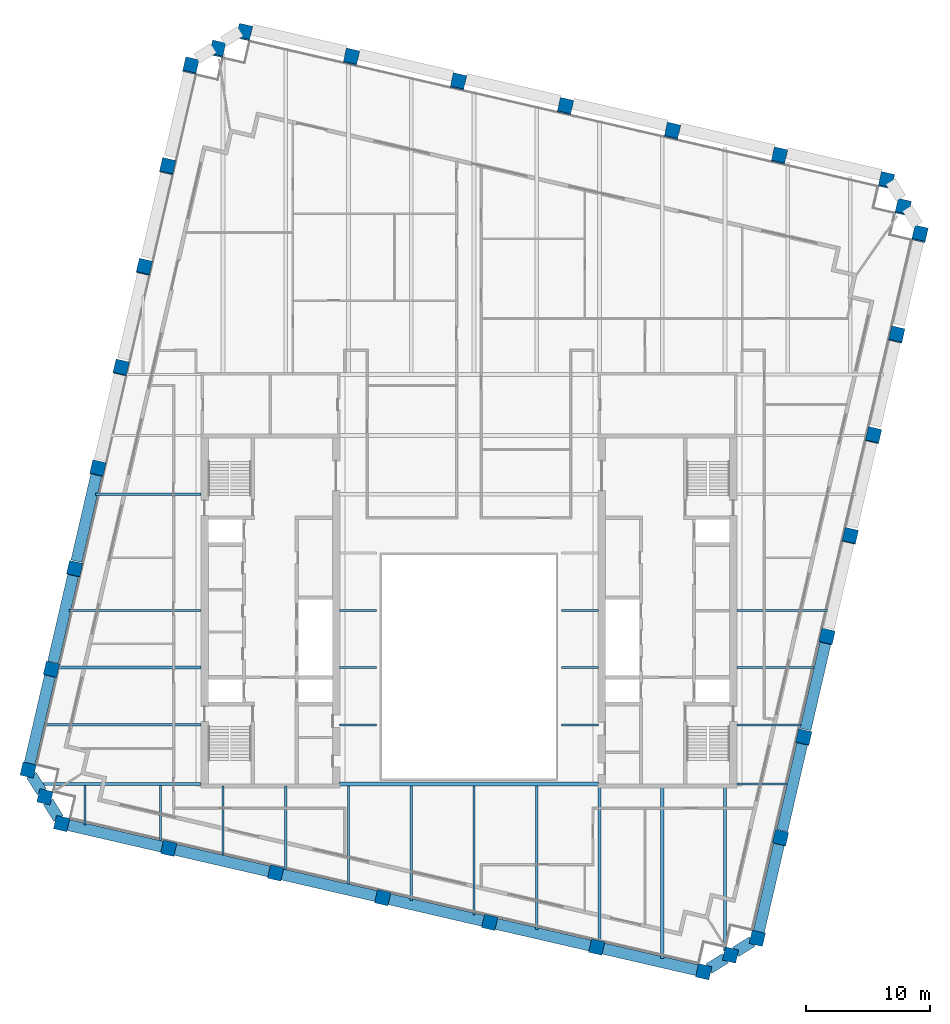
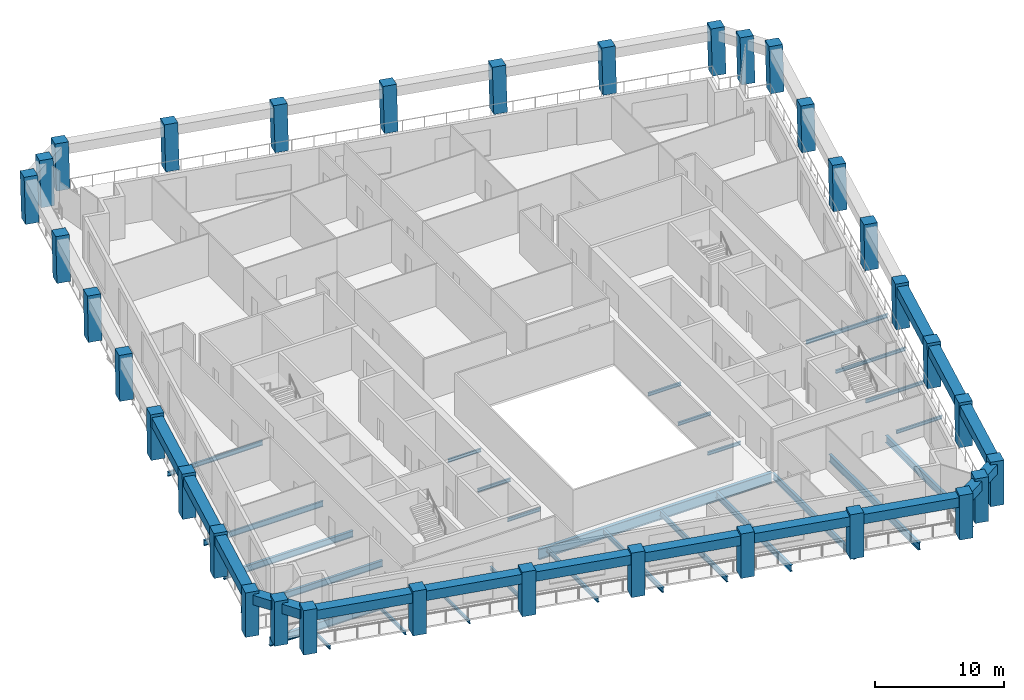
# One storey, part 1 of 9: 43 beams, 34 columns.
"""IFC4 building model written with IfcOpenShell, lengths in metres."""

from ifc_helpers import new_model, si_unit, direction, frame, origin, origin_2d, place, context, subcontext, project, spatial, rectangle, i_section, extrude, material, material_profile, profile_set, type_object, element, save


model = new_model("IFC4")

# Units and contexts
model_context = context("Model", 3, precision=1e-05, world=origin(), true_north=direction((0.0, 1.0)))
body_context = subcontext(model_context, "Body", "Model", "MODEL_VIEW")
ifc_project = project(units=[si_unit("LENGTHUNIT", "METRE"), si_unit("AREAUNIT", "SQUARE_METRE"), si_unit("VOLUMEUNIT", "CUBIC_METRE"), si_unit("PLANEANGLEUNIT", "RADIAN"), si_unit("MASSUNIT", "GRAM", prefix="KILO")], contexts=[model_context])

# Site, building, storey
site_placement = place(None, origin())
site = spatial("IfcSite", under=ifc_project, at=site_placement, CompositionType="ELEMENT")
building_placement = place(site_placement, origin())
building = spatial("IfcBuilding", under=site, at=building_placement, Name="Ogive Exchange Tower", CompositionType="ELEMENT")
storey_placement = place(building_placement, frame((0.0, 0.0, 276.60009765625)))
storey = spatial("IfcBuildingStorey", under=building, at=storey_placement, Name="L60", CompositionType="ELEMENT", Elevation=276.60009765625)

# Columns
ifc_material_1 = material(Name="Precast concrete C70/85 (limestone faced)", Category="masonry")
ifc_material_profile_1 = material_profile(ifc_material_1, rectangle(XDim=1.10009765625, YDim=1.10009765625, at=origin_2d()), Name="1100 x 1100")
ifc_profile_set_1 = profile_set([ifc_material_profile_1], Name="Precast concrete C70/85 (limestone faced)")
column_type = type_object("IfcColumnType", Name="Precast exoskeleton leg 1100 x 1100 C70/85", PredefinedType="COLUMN", material=ifc_profile_set_1)
for number, where, z_axis, x_axis, name in (
    (1, (-32.820556640625, -5.635498046875, 0.0), (0.0, 0.0, 1.0), (0.974370064785, -0.224951054344, 0.0), "Exoskeleton leg 1"),
    (2, (-24.197265625, -7.62646484375, 0.0), (0.0, 0.0, 1.0), (0.974370064785, -0.224951054344, 0.0), "Exoskeleton leg 2"),
    (3, (-15.57421875, -9.6171875, 0.0), (0.0, 0.0, 1.0), (0.974370064785, -0.224951054344, 0.0), "Exoskeleton leg 3"),
    (4, (-6.950927734375, -11.60791015625, 0.0), (0.0, 0.0, 1.0), (0.974370064785, -0.224951054344, 0.0), "Exoskeleton leg 4"),
    (5, (1.672119140625, -13.598876953125, 0.0), (0.0, 0.0, 1.0), (0.974370064785, -0.224951054344, 0.0), "Exoskeleton leg 5"),
    (6, (10.29541015625, -15.589599609375, 0.0), (0.0, 0.0, 1.0), (0.974370064785, -0.224951054344, 0.0), "Exoskeleton leg 6"),
    (7, (18.91845703125, -17.58056640625, 0.0), (0.0, 0.0, 1.0), (0.974370064785, -0.224951054344, 0.0), "Exoskeleton leg 7"),
    (8, (23.236083984375, -14.882568359375, 0.0), (0.0, 0.0, 1.0), (0.974370064785, -0.224951054344, 0.0), "Exoskeleton leg 8"),
):
    element("IfcColumn", number, at=place(storey_placement, frame(where, z_axis=z_axis, x_axis=x_axis)), inside=storey, type_object=column_type, Name=name, PredefinedType="COLUMN", context=body_context, shape_type="SweptSolid", body=[
        extrude(rectangle(XDim=1.10009765625, YDim=1.10009765625, at=origin_2d()), origin(), (0.0, 0.0, 1.0), 4.199951171875),
    ])
column_1_placement = place(storey_placement, frame((25.1064453125, -6.781494140625, 0.0), z_axis=(0.002906224189, 0.012671137464, 0.999915494498), x_axis=(-0.974691740237, 0.22355315143, 0.0)))
element("IfcColumn", 9, at=column_1_placement, inside=storey, type_object=column_type, Name="Exoskeleton leg 9", PredefinedType="COLUMN", context=body_context, shape_type="SweptSolid", body=[
    extrude(rectangle(XDim=1.10009765625, YDim=1.10009765625, at=origin_2d()), origin(), (0.0, 0.0, 1.0), 4.2001953125),
])
column_2_placement = place(storey_placement, frame((26.976806640625, 1.31982421875, 0.0), z_axis=(0.005810983994, 0.025277780376, 0.999663576552), x_axis=(-0.974579651079, 0.224041299099, 0.0)))
element("IfcColumn", 10, at=column_2_placement, inside=storey, type_object=column_type, Name="Exoskeleton leg 10", PredefinedType="COLUMN", context=body_context, shape_type="SweptSolid", body=[
    extrude(rectangle(XDim=1.10009765625, YDim=1.10009765625, at=origin_2d()), origin(), (0.0, 0.0, 1.0), 4.201416015625),
])
column_3_placement = place(storey_placement, frame((28.846923828125, 9.4208984375, 0.0), z_axis=(0.008770884695, 0.037929719907, 0.99924191662), x_axis=(-0.974290512438, 0.225295355862, 0.0)))
element("IfcColumn", 11, at=column_3_placement, inside=storey, type_object=column_type, Name="Exoskeleton leg 11", PredefinedType="COLUMN", context=body_context, shape_type="SweptSolid", body=[
    extrude(rectangle(XDim=1.10009765625, YDim=1.10009765625, at=origin_2d()), origin(), (0.0, 0.0, 1.0), 4.203125),
])
column_4_placement = place(storey_placement, frame((30.71728515625, 17.522216796875, 0.0), z_axis=(0.011668267153, 0.050562490995, 0.998652735462), x_axis=(-0.974391195695, 0.224859506699, 0.0)))
element("IfcColumn", 12, at=column_4_placement, inside=storey, type_object=column_type, Name="Exoskeleton leg 12", PredefinedType="COLUMN", context=body_context, shape_type="SweptSolid", body=[
    extrude(rectangle(XDim=1.10009765625, YDim=1.10009765625, at=origin_2d()), origin(), (0.0, 0.0, 1.0), 4.20556640625),
])
column_5_placement = place(storey_placement, frame((32.587646484375, 25.623291015625, 0.0), z_axis=(0.014559788571, 0.063169759976, 0.997896584813), x_axis=(-0.97445148511, 0.224598092528, 0.0)))
element("IfcColumn", 13, at=column_5_placement, inside=storey, type_object=column_type, Name="Exoskeleton leg 13", PredefinedType="COLUMN", context=body_context, shape_type="SweptSolid", body=[
    extrude(rectangle(XDim=1.10009765625, YDim=1.10009765625, at=origin_2d()), origin(), (0.0, 0.0, 1.0), 4.208740234375),
])
column_6_placement = place(storey_placement, frame((34.4580078125, 33.724609375, 0.0), z_axis=(0.017444089556, 0.075687644385, 0.996978978829), x_axis=(-0.974454034257, 0.224587032398, 0.0)))
element("IfcColumn", 14, at=column_6_placement, inside=storey, type_object=column_type, Name="Exoskeleton leg 14", PredefinedType="COLUMN", context=body_context, shape_type="SweptSolid", body=[
    extrude(rectangle(XDim=1.10009765625, YDim=1.10009765625, at=origin_2d()), origin(), (0.0, 0.0, 1.0), 4.212646484375),
])
for number, where, z_axis, x_axis, name in (
    (15, (36.328125, 41.82568359375, 0.0), (0.020377493232, 0.0882252832, 0.995892091129), (-0.97434807649, 0.225046274885, 0.0), "Exoskeleton leg 15"),
    (16, (33.63037109375, 46.143310546875, 0.0), (0.020377493232, 0.0882252832, 0.995892091129), (-0.97434807649, 0.225046274885, 0.0), "Exoskeleton leg 16"),
    (17, (25.007080078125, 48.134033203125, 0.0), (0.020377493232, 0.0882252832, 0.995892091129), (-0.97434807649, 0.225046274885, 0.0), "Exoskeleton leg 17"),
    (18, (16.384033203125, 50.125, 0.0), (0.020377493232, 0.0882252832, 0.995892091129), (-0.97434807649, 0.225046274885, 0.0), "Exoskeleton leg 18"),
    (19, (7.7607421875, 52.11572265625, 0.0), (0.020377493232, 0.0882252832, 0.995892091129), (-0.97434807649, 0.225046274885, 0.0), "Exoskeleton leg 19"),
    (20, (-0.8623046875, 54.106689453125, 0.0), (0.020319730311, 0.088167946619, 0.995898349105), (-0.97445585692, 0.224579123952, 0.0), "Exoskeleton leg 20"),
    (21, (-9.485595703125, 56.097412109375, 0.0), (0.020377493232, 0.0882252832, 0.995892091129), (-0.97434807649, 0.225046274885, 0.0), "Exoskeleton leg 21"),
    (22, (-18.108642578125, 58.088134765625, 0.0), (0.020377493232, 0.0882252832, 0.995892091129), (-0.97434807649, 0.225046274885, 0.0), "Exoskeleton leg 22"),
    (23, (-22.42626953125, 55.390380859375, 0.0), (0.020377597275, 0.088167842757, 0.995897175934), (-0.97431566651, 0.225186549318, 0.0), "Exoskeleton leg 23"),
):
    element("IfcColumn", number, at=place(storey_placement, frame(where, z_axis=z_axis, x_axis=x_axis)), inside=storey, type_object=column_type, Name=name, PredefinedType="COLUMN", context=body_context, shape_type="SweptSolid", body=[
        extrude(rectangle(XDim=1.10009765625, YDim=1.10009765625, at=origin_2d()), origin(), (0.0, 0.0, 1.0), 4.21728515625),
    ])
column_7_placement = place(storey_placement, frame((-24.296630859375, 47.2890625, 0.0), z_axis=(0.017502025619, 0.075687567741, 0.996977969259), x_axis=(-0.974290512438, 0.225295355862, 0.0)))
element("IfcColumn", 24, at=column_7_placement, inside=storey, type_object=column_type, Name="Exoskeleton leg 24", PredefinedType="COLUMN", context=body_context, shape_type="SweptSolid", body=[
    extrude(rectangle(XDim=1.10009765625, YDim=1.10009765625, at=origin_2d()), origin(), (0.0, 0.0, 1.0), 4.212646484375),
])
column_8_placement = place(storey_placement, frame((-26.1669921875, 39.18798828125, 0.0), z_axis=(0.014617836866, 0.063111930596, 0.997899395261), x_axis=(-0.974209784844, 0.225644178107, 0.0)))
element("IfcColumn", 25, at=column_8_placement, inside=storey, type_object=column_type, Name="Exoskeleton leg 25", PredefinedType="COLUMN", context=body_context, shape_type="SweptSolid", body=[
    extrude(rectangle(XDim=1.10009765625, YDim=1.10009765625, at=origin_2d()), origin(), (0.0, 0.0, 1.0), 4.208740234375),
])
column_9_placement = place(storey_placement, frame((-28.037109375, 31.086669921875, 0.0), z_axis=(0.011668267153, 0.050562490995, 0.998652735462), x_axis=(-0.974391195695, 0.224859506699, 0.0)))
element("IfcColumn", 26, at=column_9_placement, inside=storey, type_object=column_type, Name="Exoskeleton leg 26", PredefinedType="COLUMN", context=body_context, shape_type="SweptSolid", body=[
    extrude(rectangle(XDim=1.10009765625, YDim=1.10009765625, at=origin_2d()), origin(), (0.0, 0.0, 1.0), 4.20556640625),
])
column_10_placement = place(storey_placement, frame((-29.907470703125, 22.985595703125, 0.0), z_axis=(0.008770884695, 0.037929719907, 0.99924191662), x_axis=(-0.974290512438, 0.225295355862, 0.0)))
element("IfcColumn", 27, at=column_10_placement, inside=storey, type_object=column_type, Name="Exoskeleton leg 27", PredefinedType="COLUMN", context=body_context, shape_type="SweptSolid", body=[
    extrude(rectangle(XDim=1.10009765625, YDim=1.10009765625, at=origin_2d()), origin(), (0.0, 0.0, 1.0), 4.203125),
])
column_11_placement = place(storey_placement, frame((-31.77783203125, 14.884521484375, 0.0), z_axis=(0.00581099252, 0.025219707538, 0.999665043261), x_axis=(-0.974466825284, 0.224531526563, 0.0)))
element("IfcColumn", 28, at=column_11_placement, inside=storey, type_object=column_type, Name="Exoskeleton leg 28", PredefinedType="COLUMN", context=body_context, shape_type="SweptSolid", body=[
    extrude(rectangle(XDim=1.10009765625, YDim=1.10009765625, at=origin_2d()), origin(), (0.0, 0.0, 1.0), 4.201416015625),
])
column_12_placement = place(storey_placement, frame((-33.648193359375, 6.783203125, 0.0), z_axis=(0.002964350345, 0.012613020097, 0.999916058652), x_axis=(-0.97347596985, 0.228789283237, 0.0)))
element("IfcColumn", 29, at=column_12_placement, inside=storey, type_object=column_type, Name="Exoskeleton leg 29", PredefinedType="COLUMN", context=body_context, shape_type="SweptSolid", body=[
    extrude(rectangle(XDim=1.10009765625, YDim=1.10009765625, at=origin_2d()), origin(), (0.0, 0.0, 1.0), 4.2001953125),
])
for number, where, z_axis, x_axis, name in (
    (30, (-35.518310546875, -1.318115234375, 0.0), (0.0, 0.0, 1.0), (0.974370064785, -0.224951054344, 0.0), "Exoskeleton leg 30"),
    (31, (21.077392578125, -16.2314453125, 0.0), (0.0, 0.0, 1.0), (0.974370064785, -0.224951054344, 0.0), "Exoskeleton leg 31"),
):
    element("IfcColumn", number, at=place(storey_placement, frame(where, z_axis=z_axis, x_axis=x_axis)), inside=storey, type_object=column_type, Name=name, PredefinedType="COLUMN", context=body_context, shape_type="SweptSolid", body=[
        extrude(rectangle(XDim=1.10009765625, YDim=1.10009765625, at=origin_2d()), origin(), (0.0, 0.0, 1.0), 4.199951171875),
    ])
for number, where, z_axis, x_axis, name in (
    (32, (34.979248046875, 43.984619140625, 0.0), (0.020377493232, 0.0882252832, 0.995892091129), (-0.97434807649, 0.225046274885, 0.0), "Exoskeleton leg 32"),
    (33, (-20.267578125, 56.7392578125, 0.0), (0.020377493232, 0.0882252832, 0.995892091129), (-0.97434807649, 0.225046274885, 0.0), "Exoskeleton leg 33"),
):
    element("IfcColumn", number, at=place(storey_placement, frame(where, z_axis=z_axis, x_axis=x_axis)), inside=storey, type_object=column_type, Name=name, PredefinedType="COLUMN", context=body_context, shape_type="SweptSolid", body=[
        extrude(rectangle(XDim=1.10009765625, YDim=1.10009765625, at=origin_2d()), origin(), (0.0, 0.0, 1.0), 4.21728515625),
    ])
column_13_placement = place(storey_placement, frame((-34.16943359375, -3.476806640625, 0.0), z_axis=(0.0, 0.0, 1.0), x_axis=(0.974370064785, -0.224951054344, 0.0)))
element("IfcColumn", 34, at=column_13_placement, inside=storey, type_object=column_type, Name="Exoskeleton leg 34", PredefinedType="COLUMN", context=body_context, shape_type="SweptSolid", body=[
    extrude(rectangle(XDim=1.10009765625, YDim=1.10009765625, at=origin_2d()), origin(), (0.0, 0.0, 1.0), 4.199951171875),
])

# Beams
ifc_material_2 = material(Name="Steel ASTM A992 Gr50", Category="steel")
ifc_material_profile_2 = material_profile(ifc_material_2, i_section(OverallWidth=0.1650390625, OverallDepth=0.31005859375, WebThickness=0.005859375, FlangeThickness=0.009765625, at=origin_2d()), Name="W310x38.7")
ifc_profile_set_2 = profile_set([ifc_material_profile_2], Name="Steel ASTM A992 Gr50")
beam_type_1 = type_object("IfcBeamType", Name="Floor beam W310x38.7", PredefinedType="JOIST", material=ifc_profile_set_2)
for number, where, z_axis, x_axis, name in (
    (35, (-10.419921875, 2.3212890625, -0.35498046875), (1.0, 0.0, 0.0), (0.0, 1.0, 0.0), "Floor beam"),
    (36, (7.469970703125, 2.3212890625, -0.35498046875), (1.0, 0.0, 0.0), (0.0, 1.0, 0.0), "Floor beam"),
):
    element("IfcBeam", number, at=place(storey_placement, frame(where, z_axis=z_axis, x_axis=x_axis)), inside=storey, type_object=beam_type_1, Name=name, PredefinedType="JOIST", context=body_context, shape_type="SweptSolid", body=[
        extrude(i_section(OverallWidth=0.1650390625, OverallDepth=0.31005859375, WebThickness=0.005859375, FlangeThickness=0.009765625, at=origin_2d()), origin(), (0.0, 0.0, 1.0), 2.949951171875),
    ])
beam_1_placement = place(storey_placement, frame((21.580078125, 2.3212890625, -0.35498046875), z_axis=(1.0, 0.0, 0.0), x_axis=(0.0, 1.0, 0.0)))
element("IfcBeam", 37, at=beam_1_placement, inside=storey, type_object=beam_type_1, Name="Floor beam", PredefinedType="JOIST", context=body_context, shape_type="SweptSolid", body=[
    extrude(i_section(OverallWidth=0.1650390625, OverallDepth=0.31005859375, WebThickness=0.005859375, FlangeThickness=0.009765625, at=origin_2d()), origin(), (0.0, 0.0, 1.0), 5.166015625),
])
for number, where, z_axis, x_axis, name in (
    (38, (-10.419921875, 6.9326171875, -0.35498046875), (1.0, 0.0, 0.0), (0.0, 1.0, 0.0), "Floor beam"),
    (39, (7.469970703125, 6.9326171875, -0.35498046875), (1.0, 0.0, 0.0), (0.0, 1.0, 0.0), "Floor beam"),
):
    element("IfcBeam", number, at=place(storey_placement, frame(where, z_axis=z_axis, x_axis=x_axis)), inside=storey, type_object=beam_type_1, Name=name, PredefinedType="JOIST", context=body_context, shape_type="SweptSolid", body=[
        extrude(i_section(OverallWidth=0.1650390625, OverallDepth=0.31005859375, WebThickness=0.005859375, FlangeThickness=0.009765625, at=origin_2d()), origin(), (0.0, 0.0, 1.0), 2.949951171875),
    ])
beam_2_placement = place(storey_placement, frame((21.580078125, 6.9326171875, -0.35498046875), z_axis=(1.0, 0.0, 0.0), x_axis=(0.0, 1.0, 0.0)))
element("IfcBeam", 40, at=beam_2_placement, inside=storey, type_object=beam_type_1, Name="Floor beam", PredefinedType="JOIST", context=body_context, shape_type="SweptSolid", body=[
    extrude(i_section(OverallWidth=0.1650390625, OverallDepth=0.31005859375, WebThickness=0.005859375, FlangeThickness=0.009765625, at=origin_2d()), origin(), (0.0, 0.0, 1.0), 6.230712890625),
])
for number, where, z_axis, x_axis, name in (
    (41, (-10.419921875, 11.543701171875, -0.35498046875), (1.0, 0.0, 0.0), (0.0, 1.0, 0.0), "Floor beam"),
    (42, (7.469970703125, 11.543701171875, -0.35498046875), (1.0, 0.0, 0.0), (0.0, 1.0, 0.0), "Floor beam"),
):
    element("IfcBeam", number, at=place(storey_placement, frame(where, z_axis=z_axis, x_axis=x_axis)), inside=storey, type_object=beam_type_1, Name=name, PredefinedType="JOIST", context=body_context, shape_type="SweptSolid", body=[
        extrude(i_section(OverallWidth=0.1650390625, OverallDepth=0.31005859375, WebThickness=0.005859375, FlangeThickness=0.009765625, at=origin_2d()), origin(), (0.0, 0.0, 1.0), 2.949951171875),
    ])
beam_3_placement = place(storey_placement, frame((-30.923828125, -5.76171875, -0.35498046875), z_axis=(0.0, 1.0, 0.0), x_axis=(-1.0, 0.0, 0.0)))
element("IfcBeam", 43, at=beam_3_placement, inside=storey, type_object=beam_type_1, Name="Floor beam", PredefinedType="JOIST", context=body_context, shape_type="SweptSolid", body=[
    extrude(i_section(OverallWidth=0.1650390625, OverallDepth=0.31005859375, WebThickness=0.005859375, FlangeThickness=0.009765625, at=origin_2d()), origin(), (0.0, 0.0, 1.0), 3.18310546875),
])
beam_4_placement = place(storey_placement, frame((-24.869140625, -7.009521484375, -0.35498046875), z_axis=(0.0, 1.0, 0.0), x_axis=(-1.0, 0.0, 0.0)))
element("IfcBeam", 44, at=beam_4_placement, inside=storey, type_object=beam_type_1, Name="Floor beam", PredefinedType="JOIST", context=body_context, shape_type="SweptSolid", body=[
    extrude(i_section(OverallWidth=0.1650390625, OverallDepth=0.31005859375, WebThickness=0.005859375, FlangeThickness=0.009765625, at=origin_2d()), origin(), (0.0, 0.0, 1.0), 4.430908203125),
])
beam_5_placement = place(storey_placement, frame((-19.814208984375, -8.176513671875, -0.35498046875), z_axis=(0.0, 1.0, 0.0), x_axis=(-1.0, 0.0, 0.0)))
element("IfcBeam", 45, at=beam_5_placement, inside=storey, type_object=beam_type_1, Name="Floor beam", PredefinedType="JOIST", context=body_context, shape_type="SweptSolid", body=[
    extrude(i_section(OverallWidth=0.1650390625, OverallDepth=0.31005859375, WebThickness=0.005859375, FlangeThickness=0.009765625, at=origin_2d()), origin(), (0.0, 0.0, 1.0), 5.576416015625),
])
ifc_material_profile_3 = material_profile(ifc_material_2, i_section(OverallWidth=0.1708984375, OverallDepth=0.35595703125, WebThickness=0.00732421875, FlangeThickness=0.01171875, at=origin_2d()), Name="W360x51")
ifc_profile_set_3 = profile_set([ifc_material_profile_3], Name="Steel ASTM A992 Gr50")
beam_type_2 = type_object("IfcBeamType", Name="Floor beam W360x51", PredefinedType="JOIST", material=ifc_profile_set_3)
beam_6_placement = place(storey_placement, frame((21.580078125, 11.543701171875, -0.378173828125), z_axis=(1.0, 0.0, 0.0), x_axis=(0.0, 1.0, 0.0)))
element("IfcBeam", 46, at=beam_6_placement, inside=storey, type_object=beam_type_2, Name="Floor beam", PredefinedType="JOIST", context=body_context, shape_type="SweptSolid", body=[
    extrude(i_section(OverallWidth=0.1708984375, OverallDepth=0.35595703125, WebThickness=0.00732421875, FlangeThickness=0.01171875, at=origin_2d()), origin(), (0.0, 0.0, 1.0), 7.295166015625),
])
beam_7_placement = place(storey_placement, frame((-14.759521484375, -9.343505859375, -0.378173828125), z_axis=(0.0, 1.0, 0.0), x_axis=(-1.0, 0.0, 0.0)))
element("IfcBeam", 47, at=beam_7_placement, inside=storey, type_object=beam_type_2, Name="Floor beam", PredefinedType="JOIST", context=body_context, shape_type="SweptSolid", body=[
    extrude(i_section(OverallWidth=0.1708984375, OverallDepth=0.35595703125, WebThickness=0.00732421875, FlangeThickness=0.01171875, at=origin_2d()), origin(), (0.0, 0.0, 1.0), 6.743408203125),
])
ifc_material_profile_4 = material_profile(ifc_material_2, i_section(OverallWidth=0.177978515625, OverallDepth=0.406005859375, WebThickness=0.0078125, FlangeThickness=0.0126953125, at=origin_2d()), Name="W410x60")
ifc_profile_set_4 = profile_set([ifc_material_profile_4], Name="Steel ASTM A992 Gr50")
beam_type_3 = type_object("IfcBeamType", Name="Floor beam W410x60", PredefinedType="JOIST", material=ifc_profile_set_4)
beam_8_placement = place(storey_placement, frame((-30.0771484375, 20.89990234375, -0.403076171875), z_axis=(1.0, 0.0, 0.0), x_axis=(0.0, 1.0, 0.0)))
element("IfcBeam", 48, at=beam_8_placement, inside=storey, type_object=beam_type_3, Name="Floor beam", PredefinedType="JOIST", context=body_context, shape_type="SweptSolid", body=[
    extrude(i_section(OverallWidth=0.177978515625, OverallDepth=0.406005859375, WebThickness=0.0078125, FlangeThickness=0.0126953125, at=origin_2d()), origin(), (0.0, 0.0, 1.0), 8.4970703125),
])
beam_9_placement = place(storey_placement, frame((-9.70458984375, -10.510498046875, -0.403076171875), z_axis=(0.0, 1.0, 0.0), x_axis=(-1.0, 0.0, 0.0)))
element("IfcBeam", 49, at=beam_9_placement, inside=storey, type_object=beam_type_3, Name="Floor beam", PredefinedType="JOIST", context=body_context, shape_type="SweptSolid", body=[
    extrude(i_section(OverallWidth=0.177978515625, OverallDepth=0.406005859375, WebThickness=0.0078125, FlangeThickness=0.0126953125, at=origin_2d()), origin(), (0.0, 0.0, 1.0), 7.91552734375),
])
ifc_material_profile_5 = material_profile(ifc_material_2, i_section(OverallWidth=0.19091796875, OverallDepth=0.45703125, WebThickness=0.009033203125, FlangeThickness=0.014404296875, at=origin_2d()), Name="W460x74")
ifc_profile_set_5 = profile_set([ifc_material_profile_5], Name="Steel ASTM A992 Gr50")
beam_type_4 = type_object("IfcBeamType", Name="Floor beam W460x74", PredefinedType="JOIST", material=ifc_profile_set_5)
beam_10_placement = place(storey_placement, frame((-4.64990234375, -11.827392578125, -0.4287109375), z_axis=(0.0, 1.0, 0.0), x_axis=(-1.0, 0.0, 0.0)))
element("IfcBeam", 50, at=beam_10_placement, inside=storey, type_object=beam_type_4, Name="Floor beam", PredefinedType="JOIST", context=body_context, shape_type="SweptSolid", body=[
    extrude(i_section(OverallWidth=0.19091796875, OverallDepth=0.45703125, WebThickness=0.009033203125, FlangeThickness=0.014404296875, at=origin_2d()), origin(), (0.0, 0.0, 1.0), 9.232421875),
])
ifc_material_profile_6 = material_profile(ifc_material_2, i_section(OverallWidth=0.1669921875, OverallDepth=0.535888671875, WebThickness=0.01025390625, FlangeThickness=0.0166015625, at=origin_2d()), Name="W530x85")
ifc_profile_set_6 = profile_set([ifc_material_profile_6], Name="Steel ASTM A992 Gr50")
beam_type_5 = type_object("IfcBeamType", Name="Floor beam W530x85", PredefinedType="JOIST", material=ifc_profile_set_6)
beam_11_placement = place(storey_placement, frame((-32.2373046875, 11.543701171875, -0.468017578125), z_axis=(1.0, 0.0, 0.0), x_axis=(0.0, 1.0, 0.0)))
element("IfcBeam", 51, at=beam_11_placement, inside=storey, type_object=beam_type_5, Name="Floor beam", PredefinedType="JOIST", context=body_context, shape_type="SweptSolid", body=[
    extrude(i_section(OverallWidth=0.1669921875, OverallDepth=0.535888671875, WebThickness=0.01025390625, FlangeThickness=0.0166015625, at=origin_2d()), origin(), (0.0, 0.0, 1.0), 10.6572265625),
])
beam_12_placement = place(storey_placement, frame((0.40478515625, -12.994384765625, -0.468017578125), z_axis=(0.0, 1.0, 0.0), x_axis=(-1.0, 0.0, 0.0)))
element("IfcBeam", 52, at=beam_12_placement, inside=storey, type_object=beam_type_5, Name="Floor beam", PredefinedType="JOIST", context=body_context, shape_type="SweptSolid", body=[
    extrude(i_section(OverallWidth=0.1669921875, OverallDepth=0.535888671875, WebThickness=0.01025390625, FlangeThickness=0.0166015625, at=origin_2d()), origin(), (0.0, 0.0, 1.0), 10.3994140625),
])
ifc_material_profile_7 = material_profile(ifc_material_2, i_section(OverallWidth=0.22802734375, OverallDepth=0.60205078125, WebThickness=0.010498046875, FlangeThickness=0.014892578125, at=origin_2d()), Name="W610x101")
ifc_profile_set_7 = profile_set([ifc_material_profile_7], Name="Steel ASTM A992 Gr50")
beam_type_6 = type_object("IfcBeamType", Name="Floor beam W610x101", PredefinedType="JOIST", material=ifc_profile_set_7)
beam_13_placement = place(storey_placement, frame((-34.21630859375, 2.3212890625, -0.5009765625), z_axis=(1.0, 0.0, 0.0), x_axis=(0.0, 1.0, 0.0)))
element("IfcBeam", 53, at=beam_13_placement, inside=storey, type_object=beam_type_6, Name="Floor beam", PredefinedType="JOIST", context=body_context, shape_type="SweptSolid", body=[
    extrude(i_section(OverallWidth=0.22802734375, OverallDepth=0.60205078125, WebThickness=0.010498046875, FlangeThickness=0.014892578125, at=origin_2d()), origin(), (0.0, 0.0, 1.0), 12.63623046875),
])
beam_14_placement = place(storey_placement, frame((-33.15185546875, 6.9326171875, -0.5009765625), z_axis=(1.0, 0.0, 0.0), x_axis=(0.0, 1.0, 0.0)))
element("IfcBeam", 54, at=beam_14_placement, inside=storey, type_object=beam_type_6, Name="Floor beam", PredefinedType="JOIST", context=body_context, shape_type="SweptSolid", body=[
    extrude(i_section(OverallWidth=0.22802734375, OverallDepth=0.60205078125, WebThickness=0.010498046875, FlangeThickness=0.014892578125, at=origin_2d()), origin(), (0.0, 0.0, 1.0), 11.57177734375),
])
beam_15_placement = place(storey_placement, frame((5.459716796875, -14.161376953125, -0.5009765625), z_axis=(0.0, 1.0, 0.0), x_axis=(-1.0, 0.0, 0.0)))
element("IfcBeam", 55, at=beam_15_placement, inside=storey, type_object=beam_type_6, Name="Floor beam", PredefinedType="JOIST", context=body_context, shape_type="SweptSolid", body=[
    extrude(i_section(OverallWidth=0.22802734375, OverallDepth=0.60205078125, WebThickness=0.010498046875, FlangeThickness=0.014892578125, at=origin_2d()), origin(), (0.0, 0.0, 1.0), 11.56640625),
])
beam_16_placement = place(storey_placement, frame((10.514404296875, -15.178466796875, -0.5009765625), z_axis=(0.0, 1.0, 0.0), x_axis=(-1.0, 0.0, 0.0)))
element("IfcBeam", 56, at=beam_16_placement, inside=storey, type_object=beam_type_6, Name="Floor beam", PredefinedType="JOIST", context=body_context, shape_type="SweptSolid", body=[
    extrude(i_section(OverallWidth=0.22802734375, OverallDepth=0.60205078125, WebThickness=0.010498046875, FlangeThickness=0.014892578125, at=origin_2d()), origin(), (0.0, 0.0, 1.0), 12.578369140625),
])
ifc_material_profile_8 = material_profile(ifc_material_2, i_section(OverallWidth=0.25390625, OverallDepth=0.677978515625, WebThickness=0.01171875, FlangeThickness=0.016357421875, at=origin_2d()), Name="W690x125")
ifc_profile_set_8 = profile_set([ifc_material_profile_8], Name="Steel ASTM A992 Gr50")
beam_type_7 = type_object("IfcBeamType", Name="Floor beam W690x125", PredefinedType="JOIST", material=ifc_profile_set_8)
beam_17_placement = place(storey_placement, frame((15.5693359375, -16.495361328125, -0.5390625), z_axis=(0.0, 1.0, 0.0), x_axis=(-1.0, 0.0, 0.0)))
element("IfcBeam", 57, at=beam_17_placement, inside=storey, type_object=beam_type_7, Name="Floor beam", PredefinedType="JOIST", context=body_context, shape_type="SweptSolid", body=[
    extrude(i_section(OverallWidth=0.25390625, OverallDepth=0.677978515625, WebThickness=0.01171875, FlangeThickness=0.016357421875, at=origin_2d()), origin(), (0.0, 0.0, 1.0), 13.895263671875),
])
beam_18_placement = place(storey_placement, frame((20.6240234375, -15.899658203125, -0.5390625), z_axis=(0.0, 1.0, 0.0), x_axis=(-1.0, 0.0, 0.0)))
element("IfcBeam", 58, at=beam_18_placement, inside=storey, type_object=beam_type_7, Name="Floor beam", PredefinedType="JOIST", context=body_context, shape_type="SweptSolid", body=[
    extrude(i_section(OverallWidth=0.25390625, OverallDepth=0.677978515625, WebThickness=0.01171875, FlangeThickness=0.016357421875, at=origin_2d()), origin(), (0.0, 0.0, 1.0), 13.299560546875),
])
ifc_material_profile_9 = material_profile(ifc_material_2, i_section(OverallWidth=0.300048828125, OverallDepth=0.97998046875, WebThickness=0.0166015625, FlangeThickness=0.026123046875, at=origin_2d()), Name="W1000x249")
ifc_profile_set_9 = profile_set([ifc_material_profile_9], Name="Steel ASTM A992 Gr50")
beam_type_8 = type_object("IfcBeamType", Name="Girder W1000x249", PredefinedType="BEAM", material=ifc_profile_set_9)
beam_19_placement = place(storey_placement, frame((-10.419921875, -2.445068359375, -0.690185546875), z_axis=(1.0, 0.0, 0.0), x_axis=(0.0, 1.0, 0.0)))
element("IfcBeam", 59, at=beam_19_placement, inside=storey, type_object=beam_type_8, Name="Header girder", PredefinedType="BEAM", context=body_context, shape_type="SweptSolid", body=[
    extrude(i_section(OverallWidth=0.300048828125, OverallDepth=0.97998046875, WebThickness=0.0166015625, FlangeThickness=0.026123046875, at=origin_2d()), origin(), (0.0, 0.0, 1.0), 20.83984375),
])
ifc_material_profile_10 = material_profile(ifc_material_2, i_section(OverallWidth=0.1650390625, OverallDepth=0.31005859375, WebThickness=0.005859375, FlangeThickness=0.009765625, at=origin_2d()), Name="W310x38.7")
ifc_profile_set_10 = profile_set([ifc_material_profile_10], Name="Steel ASTM A992 Gr50")
beam_type_9 = type_object("IfcBeamType", Name="Girder W310x38.7", PredefinedType="BEAM", material=ifc_profile_set_10)
beam_20_placement = place(storey_placement, frame((21.580078125, -2.445068359375, -0.35498046875), z_axis=(1.0, 0.0, 0.0), x_axis=(0.0, 1.0, 0.0)))
element("IfcBeam", 60, at=beam_20_placement, inside=storey, type_object=beam_type_9, Name="Header girder", PredefinedType="BEAM", context=body_context, shape_type="SweptSolid", body=[
    extrude(i_section(OverallWidth=0.1650390625, OverallDepth=0.31005859375, WebThickness=0.005859375, FlangeThickness=0.009765625, at=origin_2d()), origin(), (0.0, 0.0, 1.0), 4.065673828125),
])
ifc_material_profile_11 = material_profile(ifc_material_2, i_section(OverallWidth=0.26708984375, OverallDepth=0.75390625, WebThickness=0.01318359375, FlangeThickness=0.01708984375, at=origin_2d()), Name="W760x147")
ifc_profile_set_11 = profile_set([ifc_material_profile_11], Name="Steel ASTM A992 Gr50")
beam_type_10 = type_object("IfcBeamType", Name="Girder W760x147", PredefinedType="BEAM", material=ifc_profile_set_11)
beam_21_placement = place(storey_placement, frame((-34.43359375, -2.445068359375, -0.5771484375), z_axis=(1.0, 0.0, 0.0), x_axis=(0.0, 1.0, 0.0)))
element("IfcBeam", 61, at=beam_21_placement, inside=storey, type_object=beam_type_10, Name="Header girder", PredefinedType="BEAM", context=body_context, shape_type="SweptSolid", body=[
    extrude(i_section(OverallWidth=0.26708984375, OverallDepth=0.75390625, WebThickness=0.01318359375, FlangeThickness=0.01708984375, at=origin_2d()), origin(), (0.0, 0.0, 1.0), 12.853515625),
])
ifc_material_profile_12 = material_profile(ifc_material_1, rectangle(XDim=0.89990234375, YDim=0.89990234375, at=origin_2d()), Name="900 x 900")
ifc_profile_set_12 = profile_set([ifc_material_profile_12], Name="Precast concrete C70/85 (limestone faced)")
beam_type_11 = type_object("IfcBeamType", Name="Precast spandrel 900 x 900 C70/85", PredefinedType="SPANDREL", material=ifc_profile_set_12)
for number, where, z_axis, x_axis, name in (
    (62, (-32.30419921875, -5.7548828125, 3.5), (0.974374818602, -0.224930462307, 0.0), (0.224930462307, 0.974374818602, 0.0), "Spandrel 1"),
    (63, (-23.680908203125, -7.74560546875, 3.5), (0.974367949416, -0.224960216819, 0.0), (0.224960216819, 0.974367949416, 0.0), "Spandrel 2"),
    (64, (-15.0576171875, -9.736328125, 3.5), (0.974367949416, -0.224960216819, 0.0), (0.224960216819, 0.974367949416, 0.0), "Spandrel 3"),
    (65, (-6.4345703125, -11.727294921875, 3.5), (0.974374818602, -0.224930462307, 0.0), (0.224930462307, 0.974374818602, 0.0), "Spandrel 4"),
):
    element("IfcBeam", number, at=place(storey_placement, frame(where, z_axis=z_axis, x_axis=x_axis)), inside=storey, type_object=beam_type_11, Name=name, PredefinedType="SPANDREL", context=body_context, shape_type="SweptSolid", body=[
        extrude(rectangle(XDim=0.89990234375, YDim=0.89990234375, at=origin_2d()), origin(), (0.0, 0.0, 1.0), 7.7900390625),
    ])
beam_22_placement = place(storey_placement, frame((2.188720703125, -13.718017578125, 3.5), z_axis=(0.974366363305, -0.224967086616, 0.0), x_axis=(0.224967086616, 0.974366363305, 0.0)))
element("IfcBeam", 66, at=beam_22_placement, inside=storey, type_object=beam_type_11, Name="Spandrel 5", PredefinedType="SPANDREL", context=body_context, shape_type="SweptSolid", body=[
    extrude(rectangle(XDim=0.89990234375, YDim=0.89990234375, at=origin_2d()), origin(), (0.0, 0.0, 1.0), 7.789794921875),
])
beam_23_placement = place(storey_placement, frame((10.811767578125, -15.708984375, 3.5), z_axis=(0.974374818602, -0.224930462307, 0.0), x_axis=(0.224930462307, 0.974374818602, 0.0)))
element("IfcBeam", 67, at=beam_23_placement, inside=storey, type_object=beam_type_11, Name="Spandrel 6", PredefinedType="SPANDREL", context=body_context, shape_type="SweptSolid", body=[
    extrude(rectangle(XDim=0.89990234375, YDim=0.89990234375, at=origin_2d()), origin(), (0.0, 0.0, 1.0), 7.7900390625),
])
for number, where, z_axis, x_axis, name in (
    (68, (19.32373046875, -17.327392578125, 3.5), (0.84798967817, 0.53001274109, 0.0), (-0.53001274109, 0.84798967817, 0.0), "Spandrel 7"),
    (69, (21.482421875, -15.978271484375, 3.5), (0.848058683477, 0.529902320601, 0.0), (-0.529902320601, 0.848058683477, 0.0), "Spandrel 8"),
):
    element("IfcBeam", number, at=place(storey_placement, frame(where, z_axis=z_axis, x_axis=x_axis)), inside=storey, type_object=beam_type_11, Name=name, PredefinedType="SPANDREL", context=body_context, shape_type="SweptSolid", body=[
        extrude(rectangle(XDim=0.89990234375, YDim=0.89990234375, at=origin_2d()), origin(), (0.0, 0.0, 1.0), 1.590087890625),
    ])
for number, where, z_axis, x_axis, name in (
    (70, (23.355224609375, -14.3662109375, 3.5), (0.224969284833, 0.974365855766, 0.0), (-0.974365855766, 0.224969284833, 0.0), "Spandrel 9"),
    (71, (25.23779296875, -6.2119140625, 3.5), (0.224969284833, 0.974365855766, 0.0), (-0.974365855766, 0.224969284833, 0.0), "Spandrel 10"),
    (72, (27.12060546875, 1.9423828125, 3.5), (0.22493757203, 0.974373177324, 0.0), (-0.974373177324, 0.22493757203, 0.0), "Spandrel 11"),
    (73, (-29.989990234375, 22.628662109375, 3.5), (-0.22493757203, -0.974373177324, 0.0), (0.974373177324, -0.22493757203, 0.0), "Spandrel 30"),
):
    element("IfcBeam", number, at=place(storey_placement, frame(where, z_axis=z_axis, x_axis=x_axis)), inside=storey, type_object=beam_type_11, Name=name, PredefinedType="SPANDREL", context=body_context, shape_type="SweptSolid", body=[
        extrude(rectangle(XDim=0.89990234375, YDim=0.89990234375, at=origin_2d()), origin(), (0.0, 0.0, 1.0), 7.308837890625),
    ])
for number, where, z_axis, x_axis, name in (
    (74, (-31.87255859375, 14.47412109375, 3.5), (-0.224944893359, -0.97437148714, 0.0), (0.97437148714, -0.224944893359, 0.0), "Spandrel 31"),
    (75, (-33.755126953125, 6.31982421875, 3.5), (-0.224944893359, -0.97437148714, 0.0), (0.97437148714, -0.224944893359, 0.0), "Spandrel 32"),
):
    element("IfcBeam", number, at=place(storey_placement, frame(where, z_axis=z_axis, x_axis=x_axis)), inside=storey, type_object=beam_type_11, Name=name, PredefinedType="SPANDREL", context=body_context, shape_type="SweptSolid", body=[
        extrude(rectangle(XDim=0.89990234375, YDim=0.89990234375, at=origin_2d()), origin(), (0.0, 0.0, 1.0), 7.30859375),
    ])
for number, where, z_axis, x_axis, name in (
    (76, (-35.26513671875, -1.72314453125, 3.5), (0.529902320601, -0.848058683477, 0.0), (0.848058683477, 0.529902320601, 0.0), "Spandrel 33"),
    (77, (-33.916259765625, -3.882080078125, 3.5), (0.529902320601, -0.848058683477, 0.0), (0.848058683477, 0.529902320601, 0.0), "Spandrel 34"),
):
    element("IfcBeam", number, at=place(storey_placement, frame(where, z_axis=z_axis, x_axis=x_axis)), inside=storey, type_object=beam_type_11, Name=name, PredefinedType="SPANDREL", context=body_context, shape_type="SweptSolid", body=[
        extrude(rectangle(XDim=0.89990234375, YDim=0.89990234375, at=origin_2d()), origin(), (0.0, 0.0, 1.0), 1.590087890625),
    ])

save(model, "model.ifc")
